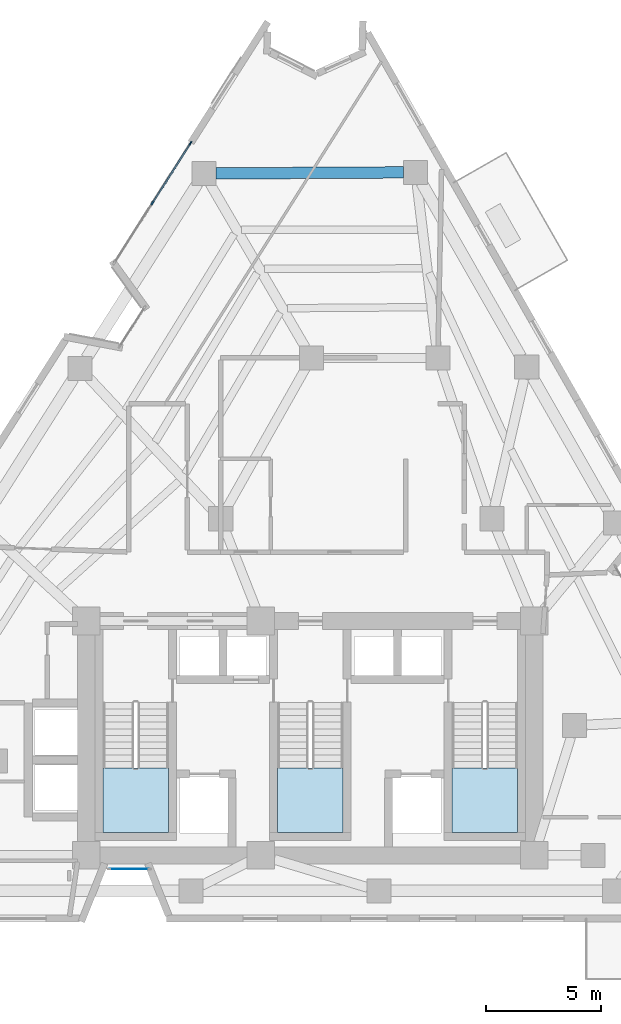
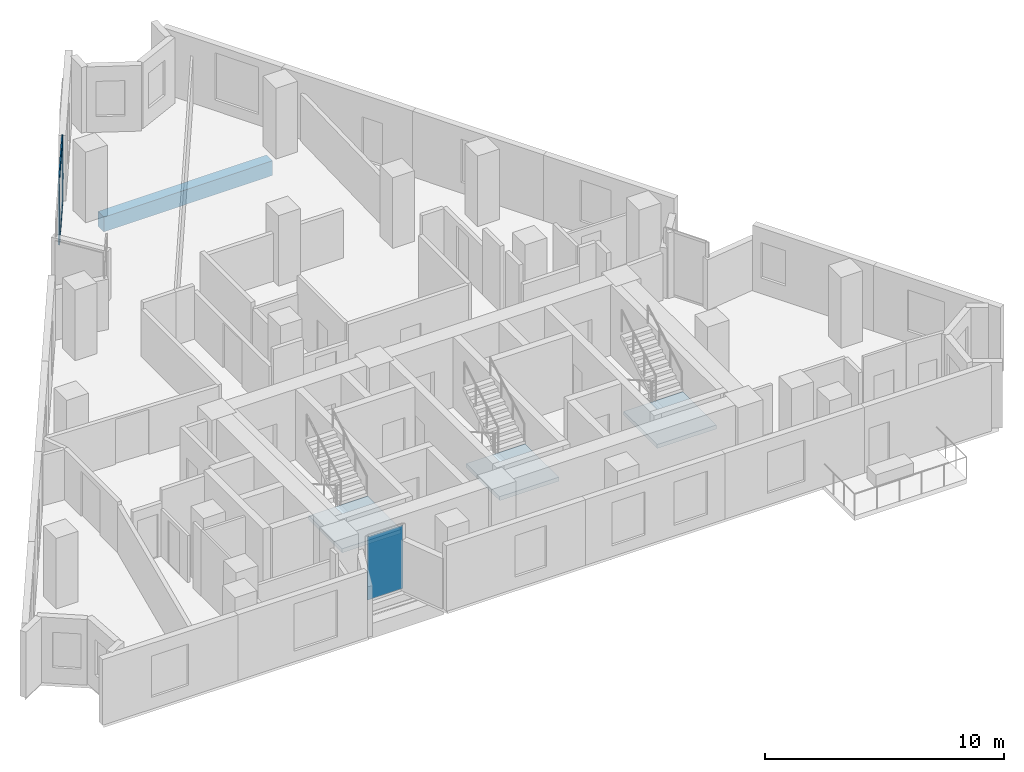
# One storey, part 5 of 12: 4 members, 3 slabs, 1 beam, 1 plate, 5 elements without a shape of their own.
"""IFC4 building model written with IfcOpenShell, lengths in metres."""

import ifcopenshell
import ifcopenshell.guid

model = None  # the IFC model being written
_history = None  # IfcOwnerHistory: only IFC2X3 demands one
_inside = {}  # id of a spatial element -> (the spatial element, [elements in it])
_under = {}  # id of a project, library or spatial element -> (it, [spatial elements below it])
_declared = {}  # id of a project -> (the project, [libraries it declares])
_typed = {}  # id of a type object -> (the type object, [elements of that type])
_made_of = {}  # id of a material, layer set ... -> (it, [elements and type objects made of it])


def new_model(schema):
    """Start an empty IFC model of exactly this schema.

    Asked for "IFC4X3", IfcOpenShell would pick the latest addendum, in which some entities
    have other attributes; the version numbers below select the first issue.
    IFC2X3 requires an IfcOwnerHistory on every rooted entity: one is made here for all.
    """
    global model, _history
    if schema == "IFC4X3":
        model = ifcopenshell.file(schema_version=(4, 3, 0, 0))
    else:
        model = ifcopenshell.file(schema=schema)
    _inside.clear()
    _under.clear()
    _declared.clear()
    _typed.clear()
    _made_of.clear()
    _history = None
    if model.schema == "IFC2X3":
        org = make("IfcOrganization", Name="unknown")
        user = make(
            "IfcPersonAndOrganization",
            ThePerson=make("IfcPerson", FamilyName="unknown"),
            TheOrganization=org,
        )
        app = make(
            "IfcApplication",
            ApplicationDeveloper=org,
            Version="unknown",
            ApplicationFullName="unknown",
            ApplicationIdentifier="unknown",
        )
        _history = make(
            "IfcOwnerHistory",
            OwningUser=user,
            OwningApplication=app,
            ChangeAction="ADDED",
            CreationDate=0,
        )
    return model


def make(cls, **values):
    """One entity of the class cls with the attributes given. An attribute that is None is left unset."""
    return model.create_entity(
        cls, **{name: value for name, value in values.items() if value is not None}
    )


def rooted(cls, **values):
    """An entity with a GlobalId (a new one), such as an element, a storey or a relation."""
    return make(cls, GlobalId=ifcopenshell.guid.new(), OwnerHistory=_history, **values)


def si_unit(unit_type, name, prefix=None):
    """IfcSIUnit, for example si_unit("LENGTHUNIT", "METRE", prefix="MILLI")."""
    return make("IfcSIUnit", UnitType=unit_type, Prefix=prefix, Name=name)


def assignment(units):
    """IfcUnitAssignment: the units of a project."""
    return None if units is None else make("IfcUnitAssignment", Units=units)


def point(xyz):
    """IfcCartesianPoint."""
    return None if xyz is None else make("IfcCartesianPoint", Coordinates=xyz)


def direction(xyz):
    """IfcDirection."""
    return None if xyz is None else make("IfcDirection", DirectionRatios=xyz)


def frame(location, z_axis=None, x_axis=None):
    """IfcAxis2Placement3D, a coordinate frame: its origin and axes. An axis left out is left unset."""
    return make(
        "IfcAxis2Placement3D",
        Location=point(location),
        Axis=direction(z_axis),
        RefDirection=direction(x_axis),
    )


def frame_2d(location, x_axis=None):
    """IfcAxis2Placement2D, a coordinate frame in the plane: its origin and x axis."""
    return make(
        "IfcAxis2Placement2D", Location=point(location), RefDirection=direction(x_axis)
    )


def origin():
    """The frame at (0, 0, 0) with its axes left unset."""
    return frame((0.0, 0.0, 0.0))


def origin_2d():
    """The frame at (0, 0) in the plane with its x axis left unset."""
    return frame_2d((0.0, 0.0))


def place(relative_to, where):
    """IfcLocalPlacement: puts the frame where relative to a parent placement (None: the world)."""
    return make(
        "IfcLocalPlacement", PlacementRelTo=relative_to, RelativePlacement=where
    )


def context(
    kind, dimensions, precision=None, world=None, true_north=None, identifier=None
):
    """IfcGeometricRepresentationContext, for example the 3D "Model" context."""
    return make(
        "IfcGeometricRepresentationContext",
        ContextIdentifier=identifier,
        ContextType=kind,
        CoordinateSpaceDimension=dimensions,
        Precision=precision,
        WorldCoordinateSystem=world,
        TrueNorth=true_north,
    )


def subcontext(parent, identifier, kind, view, scale=None):
    """IfcGeometricRepresentationSubContext, for example "Body" below "Model"."""
    return make(
        "IfcGeometricRepresentationSubContext",
        ContextIdentifier=identifier,
        ContextType=kind,
        ParentContext=parent,
        TargetScale=scale,
        TargetView=view,
    )


def project(units=None, contexts=None):
    """IfcProject with its units and contexts."""
    return rooted(
        "IfcProject",
        Name="project",
        RepresentationContexts=contexts,
        UnitsInContext=assignment(units),
    )


def spatial(cls, under=None, at=None, **own):
    """A site, building, storey or space (cls), placed at a placement, below another one or the project."""
    s = rooted(cls, ObjectPlacement=at, **own)
    if under is not None:
        _under.setdefault(under.id(), (under, []))[1].append(s)
    return s


def polyline(points):
    """IfcPolyline through the points."""
    return make("IfcPolyline", Points=[point(p) for p in points])


def profile(cls, at=None, kind="AREA", **sizes):
    """A parametric profile (cls). Its sizes go by their IFC names, for example OverallWidth=200.0."""
    return make(cls, ProfileType=kind, Position=at, **sizes)


def rectangle(**sizes):
    """IfcRectangleProfileDef."""
    return profile("IfcRectangleProfileDef", **sizes)


def outline(outer, holes=None, kind="AREA"):
    """IfcArbitraryClosedProfileDef: a profile drawn as a closed curve; with holes, ...WithVoids."""
    if holes is None:
        return make("IfcArbitraryClosedProfileDef", ProfileType=kind, OuterCurve=outer)
    return make(
        "IfcArbitraryProfileDefWithVoids",
        ProfileType=kind,
        OuterCurve=outer,
        InnerCurves=holes,
    )


def extrude(swept, where, along, depth):
    """IfcExtrudedAreaSolid: the profile swept, set in the frame where, extruded along a direction by depth."""
    return make(
        "IfcExtrudedAreaSolid",
        SweptArea=swept,
        Position=where,
        ExtrudedDirection=direction(along),
        Depth=depth,
    )


def shape(context_of_items, identifier, shape_type, items):
    """IfcShapeRepresentation: the items that make up one representation, for example the "Body"."""
    return make(
        "IfcShapeRepresentation",
        ContextOfItems=context_of_items,
        RepresentationIdentifier=identifier,
        RepresentationType=shape_type,
        Items=items,
    )


def material(Name=None, Category=None):
    """IfcMaterial."""
    return make("IfcMaterial", Name=Name, Category=Category)


def layer(
    of_material, thickness, ventilated=None, Name=None, Category=None, Priority=None
):
    """IfcMaterialLayer: one layer of a wall or slab, of a material (None: an air gap)."""
    return make(
        "IfcMaterialLayer",
        Material=of_material,
        LayerThickness=thickness,
        IsVentilated=ventilated,
        Name=Name,
        Category=Category,
        Priority=Priority,
    )


def layer_set(layers, Name=None):
    """IfcMaterialLayerSet."""
    return make("IfcMaterialLayerSet", MaterialLayers=layers, LayerSetName=Name)


def material_profile(
    of_material, cross_section, Name=None, Category=None, Priority=None
):
    """IfcMaterialProfile: a cross section and its material."""
    return make(
        "IfcMaterialProfile",
        Name=Name,
        Material=of_material,
        Profile=cross_section,
        Priority=Priority,
        Category=Category,
    )


def profile_set(profiles, Name=None, composite=None):
    """IfcMaterialProfileSet."""
    return make(
        "IfcMaterialProfileSet",
        Name=Name,
        MaterialProfiles=profiles,
        CompositeProfile=composite,
    )


def made_of(thing, what):
    """Note that an element or type object is made of a material, layer set ...; save() writes the relation."""
    if what is not None:
        _made_of.setdefault(what.id(), (what, []))[1].append(thing)
    return thing


def type_object(cls, material=None, **own):
    """A type object (cls), such as IfcWallType, which elements share."""
    return made_of(rooted(cls, **own), material)


def element(
    cls,
    number,
    at=None,
    inside=None,
    cuts=None,
    type_object=None,
    material=None,
    context=None,
    identifier="Body",
    shape_type=None,
    held_by="IfcProductDefinitionShape",
    body=None,
    shapes=None,
    **own,
):
    """One element of the class cls, such as IfcWall. Its Tag is "e" and its number.

    at: its placement. inside: the storey or other place that contains it. cuts: it is an
    opening in that element (IfcRelVoidsElement). A single representation is given by context,
    identifier, shape_type and body (its items); several are given by shapes. held_by: the class
    of the entity that holds the representations. save() writes the other relations.
    """
    e = rooted(cls, Tag="e%d" % number, ObjectPlacement=at, **own)
    if body is not None:
        shapes = [shape(context, identifier, shape_type, body)]
    if shapes is not None:
        e.Representation = make(held_by, Representations=shapes)
    if inside is not None:
        _inside.setdefault(inside.id(), (inside, []))[1].append(e)
    if cuts is not None:
        rooted(
            "IfcRelVoidsElement", RelatingBuildingElement=cuts, RelatedOpeningElement=e
        )
    if type_object is not None:
        _typed.setdefault(type_object.id(), (type_object, []))[1].append(e)
    return made_of(e, material)


def aggregate(whole, parts):
    """IfcRelAggregates: a whole, such as a stair, and the parts it consists of."""
    return rooted("IfcRelAggregates", RelatingObject=whole, RelatedObjects=parts)


def save(model, path):
    """Write the relations noted so far, then the file.

    IfcRelAggregates (storeys below a building ...), IfcRelContainedInSpatialStructure (elements
    in a storey), IfcRelDefinesByType, IfcRelAssociatesMaterial and IfcRelDeclares: one each for
    every whole, place, type object, material and project.
    """
    for whole, parts in _under.values():
        aggregate(whole, parts)
    for where, things in _inside.values():
        rooted(
            "IfcRelContainedInSpatialStructure",
            RelatedElements=things,
            RelatingStructure=where,
        )
    for kind, things in _typed.values():
        rooted("IfcRelDefinesByType", RelatedObjects=things, RelatingType=kind)
    for what, things in _made_of.values():
        rooted("IfcRelAssociatesMaterial", RelatedObjects=things, RelatingMaterial=what)
    for by, libraries in _declared.values():
        rooted("IfcRelDeclares", RelatingContext=by, RelatedDefinitions=libraries)
    model.write(path)


model = new_model("IFC4")

# Units and contexts
model_context = context("Model", 3, precision=1e-05, world=origin(), true_north=direction((0.0, 1.0)))
body_context = subcontext(model_context, "Body", "Model", "MODEL_VIEW")
ifc_project = project(units=[si_unit("LENGTHUNIT", "METRE"), si_unit("AREAUNIT", "SQUARE_METRE"), si_unit("VOLUMEUNIT", "CUBIC_METRE"), si_unit("PLANEANGLEUNIT", "RADIAN"), si_unit("MASSUNIT", "GRAM", prefix="KILO")], contexts=[model_context])

# Site, building, storey
site_placement = place(None, origin())
site = spatial("IfcSite", under=ifc_project, at=site_placement, CompositionType="ELEMENT")
building_placement = place(site_placement, origin())
building = spatial("IfcBuilding", under=site, at=building_placement, Name="Almagre Mirador Tower", CompositionType="ELEMENT")
storey_placement = place(building_placement, frame((0.0, 0.0, 139.199951171875)))
storey = spatial("IfcBuildingStorey", under=building, at=storey_placement, Name="L35", CompositionType="ELEMENT", Elevation=139.199951171875)

# Beam
ifc_material_1 = material(Name="Precast concrete C50/60", Category="concrete")
ifc_material_profile_1 = material_profile(ifc_material_1, rectangle(XDim=0.5, YDim=0.75, at=origin_2d()), Name="RC500X750")
ifc_profile_set_1 = profile_set([ifc_material_profile_1], Name="Precast concrete C50/60")
beam_type = type_object("IfcBeamType", Name="BM-SPN-RC500X750", PredefinedType="SPANDREL", material=ifc_profile_set_1)
beam_placement = place(storey_placement, frame((41.35693359375, 34.274169921875, -0.625), z_axis=(-0.999985336868, -0.005415353079, 0.0), x_axis=(0.005415353079, -0.999985336868, 0.0)))
element("IfcBeam", 1, at=beam_placement, inside=storey, type_object=beam_type, Name="L35 perimeter spandrel beam PC08-PC09", PredefinedType="SPANDREL", context=body_context, shape_type="SweptSolid", body=[
    extrude(rectangle(XDim=0.5, YDim=0.75, at=origin_2d()), origin(), (0.0, 0.0, 1.0), 8.159912109375),
])

# Curtain wall, members
ifc_material_2 = material(Name="Black anodized aluminium", Category="aluminium")
ifc_layer_1 = layer(ifc_material_2, 0.199951171875)
ifc_layer_set_1 = layer_set([ifc_layer_1], Name="Black anodized aluminium")
curtain_wall_type_1 = type_object("IfcCurtainWallType", Name="CW-RES-H-SYS", PredefinedType="NOTDEFINED", material=ifc_layer_set_1)
curtain_wall_1_placement = place(storey_placement, origin())
curtain_wall_1 = element("IfcCurtainWall", 2, at=curtain_wall_1_placement, inside=storey, type_object=curtain_wall_type_1, Name="L35 curtain wall run 02", PredefinedType="NOTDEFINED")
ifc_material_3 = material(Name="Black anodized aluminium", Category="aluminium")
ifc_material_profile_2 = material_profile(ifc_material_3, rectangle(XDim=0.06494140625, YDim=0.179931640625, at=origin_2d()), Name="CWM65X180")
ifc_profile_set_2 = profile_set([ifc_material_profile_2], Name="Black anodized aluminium")
member_type_1 = type_object("IfcMemberType", Name="MBR-CWM65X180", PredefinedType="MULLION", material=ifc_profile_set_2)
member_1_placement = place(storey_placement, frame((30.427490234375, 32.936767578125, 0.0), z_axis=(0.0, 0.0, 1.0), x_axis=(-0.843512869076, 0.53710896446, 0.0)))
member_1 = element("IfcMember", 3, at=member_1_placement, type_object=member_type_1, Name="CW-3 mullion 2", PredefinedType="MULLION", context=body_context, shape_type="SweptSolid", body=[
    extrude(rectangle(XDim=0.06494140625, YDim=0.179931640625, at=origin_2d()), origin(), (0.0, 0.0, 1.0), 3.35009765625),
])
member_2_placement = place(storey_placement, frame((32.08447265625, 35.5390625, 0.0), z_axis=(0.0, 0.0, 1.0), x_axis=(-0.843512869076, 0.53710896446, 0.0)))
member_2 = element("IfcMember", 4, at=member_2_placement, type_object=member_type_1, Name="CW-3 mullion 3", PredefinedType="MULLION", context=body_context, shape_type="SweptSolid", body=[
    extrude(rectangle(XDim=0.06494140625, YDim=0.179931640625, at=origin_2d()), origin(), (0.0, 0.0, 1.0), 3.35009765625),
])
ifc_material_4 = material(Name="Black anodized aluminium", Category="aluminium")
ifc_material_profile_3 = material_profile(ifc_material_4, rectangle(XDim=0.06494140625, YDim=0.14990234375, at=origin_2d()), Name="CWT65X150")
ifc_profile_set_3 = profile_set([ifc_material_profile_3], Name="Black anodized aluminium")
member_type_2 = type_object("IfcMemberType", Name="MBR-CWT65X150", PredefinedType="USERDEFINED", material=ifc_profile_set_3)
member_3_placement = place(storey_placement, frame((30.445068359375, 32.964111328125, 0.032470703125), z_axis=(0.537079470454, 0.843531648734, 0.0), x_axis=(-0.843531648734, 0.537079470454, 0.0)))
member_3 = element("IfcMember", 5, at=member_3_placement, type_object=member_type_2, Name="CW-3 transom 2.1", ObjectType="TRANSOM", PredefinedType="USERDEFINED", context=body_context, shape_type="SweptSolid", body=[
    extrude(rectangle(XDim=0.06494140625, YDim=0.14990234375, at=origin_2d()), origin(), (0.0, 0.0, 1.0), 3.020263671875),
])
member_4_placement = place(storey_placement, frame((30.445068359375, 32.964111328125, 3.317626953125), z_axis=(0.537079470454, 0.843531648734, 0.0), x_axis=(-0.843531648734, 0.537079470454, 0.0)))
member_4 = element("IfcMember", 6, at=member_4_placement, type_object=member_type_2, Name="CW-3 transom 2.2", ObjectType="TRANSOM", PredefinedType="USERDEFINED", context=body_context, shape_type="SweptSolid", body=[
    extrude(rectangle(XDim=0.06494140625, YDim=0.14990234375, at=origin_2d()), origin(), (0.0, 0.0, 1.0), 3.020263671875),
])
aggregate(curtain_wall_1, [member_1, member_2, member_3, member_4])

# Curtain wall, plate
ifc_material_5 = material(Name="Black anodized aluminium", Category="aluminium")
ifc_layer_2 = layer(ifc_material_5, 0.169921875)
ifc_layer_set_2 = layer_set([ifc_layer_2], Name="Black anodized aluminium")
curtain_wall_type_2 = type_object("IfcCurtainWallType", Name="CW-CRS-SYS", PredefinedType="NOTDEFINED", material=ifc_layer_set_2)
curtain_wall_2_placement = place(storey_placement, origin())
curtain_wall_2 = element("IfcCurtainWall", 7, at=curtain_wall_2_placement, inside=storey, type_object=curtain_wall_type_2, Name="L35 vertical crease curtain wall 04", PredefinedType="NOTDEFINED")
ifc_material_6 = material(Name="Dark solar-control laminated hurricane glass", Category="glass")
ifc_layer_3 = layer(ifc_material_6, 0.028076171875)
ifc_layer_set_3 = layer_set([ifc_layer_3], Name="Dark solar-control laminated hurricane glass")
plate_type = type_object("IfcPlateType", Name="PLT-GLZ-28", PredefinedType="CURTAIN_PANEL", material=ifc_layer_set_3)
plate_placement = place(storey_placement, frame((29.42138671875, 3.949951171875, 0.06005859375), z_axis=(0.0, 0.0, 1.0), x_axis=(-1.0, 0.0, 0.0)))
plate = element("IfcPlate", 8, at=plate_placement, type_object=plate_type, Name="CW-4 panel 1.1", PredefinedType="CURTAIN_PANEL", context=body_context, shape_type="SweptSolid", body=[
    extrude(rectangle(XDim=1.702880859375, YDim=0.028076171875, at=origin_2d()), origin(), (0.0, 0.0, 1.0), 3.22998046875),
])
aggregate(curtain_wall_2, [plate])

# Stair, slab
ifc_material_7 = material(Name="Concrete C45/55", Category="concrete")
stair_type = type_object("IfcStairType", Name="STR-DL-3600", PredefinedType="HALF_TURN_STAIR", material=ifc_material_7)
stair_1_placement = place(storey_placement, origin())
stair_1 = element("IfcStair", 9, at=stair_1_placement, inside=storey, type_object=stair_type, Name="L35 Protected exit stair ST-1", PredefinedType="HALF_TURN_STAIR")
ifc_material_8 = material(Name="Concrete C45/55", Category="concrete")
ifc_layer_4 = layer(ifc_material_8, 0.199951171875)
ifc_layer_set_4 = layer_set([ifc_layer_4], Name="Concrete C45/55")
slab_type = type_object("IfcSlabType", Name="SLB-LND-200", PredefinedType="LANDING", material=ifc_layer_set_4)
slab_1_placement = place(storey_placement, frame((0.0, 0.0, 1.60009765625)))
slab_1 = element("IfcSlab", 10, at=slab_1_placement, type_object=slab_type, Name="ST-1 landing 1", PredefinedType="LANDING", context=body_context, shape_type="SweptSolid", body=[
    extrude(outline(polyline([(28.27490234375, 8.35009765625), (28.27490234375, 5.550048828125), (31.125, 5.550048828125), (31.125, 8.35009765625), (28.27490234375, 8.35009765625)])), origin(), (0.0, 0.0, 1.0), 0.199951171875),
])
aggregate(stair_1, [slab_1])

stair_2_placement = place(storey_placement, origin())
stair_2 = element("IfcStair", 11, at=stair_2_placement, inside=storey, type_object=stair_type, Name="L35 Protected exit stair ST-2", PredefinedType="HALF_TURN_STAIR")
slab_2_placement = place(storey_placement, frame((0.0, 0.0, 1.60009765625)))
slab_2 = element("IfcSlab", 12, at=slab_2_placement, type_object=slab_type, Name="ST-2 landing 1", PredefinedType="LANDING", context=body_context, shape_type="SweptSolid", body=[
    extrude(outline(polyline([(35.875, 8.35009765625), (35.875, 5.550048828125), (38.72509765625, 5.550048828125), (38.72509765625, 8.35009765625), (35.875, 8.35009765625)])), origin(), (0.0, 0.0, 1.0), 0.199951171875),
])
aggregate(stair_2, [slab_2])

stair_3_placement = place(storey_placement, origin())
stair_3 = element("IfcStair", 13, at=stair_3_placement, inside=storey, type_object=stair_type, Name="L35 Protected exit stair ST-3", PredefinedType="HALF_TURN_STAIR")
slab_3_placement = place(storey_placement, frame((0.0, 0.0, 1.60009765625)))
slab_3 = element("IfcSlab", 14, at=slab_3_placement, type_object=slab_type, Name="ST-3 landing 1", PredefinedType="LANDING", context=body_context, shape_type="SweptSolid", body=[
    extrude(outline(polyline([(43.47509765625, 8.35009765625), (43.47509765625, 5.550048828125), (46.324951171875, 5.550048828125), (46.324951171875, 8.35009765625), (43.47509765625, 8.35009765625)])), origin(), (0.0, 0.0, 1.0), 0.199951171875),
])
aggregate(stair_3, [slab_3])

save(model, "model.ifc")
